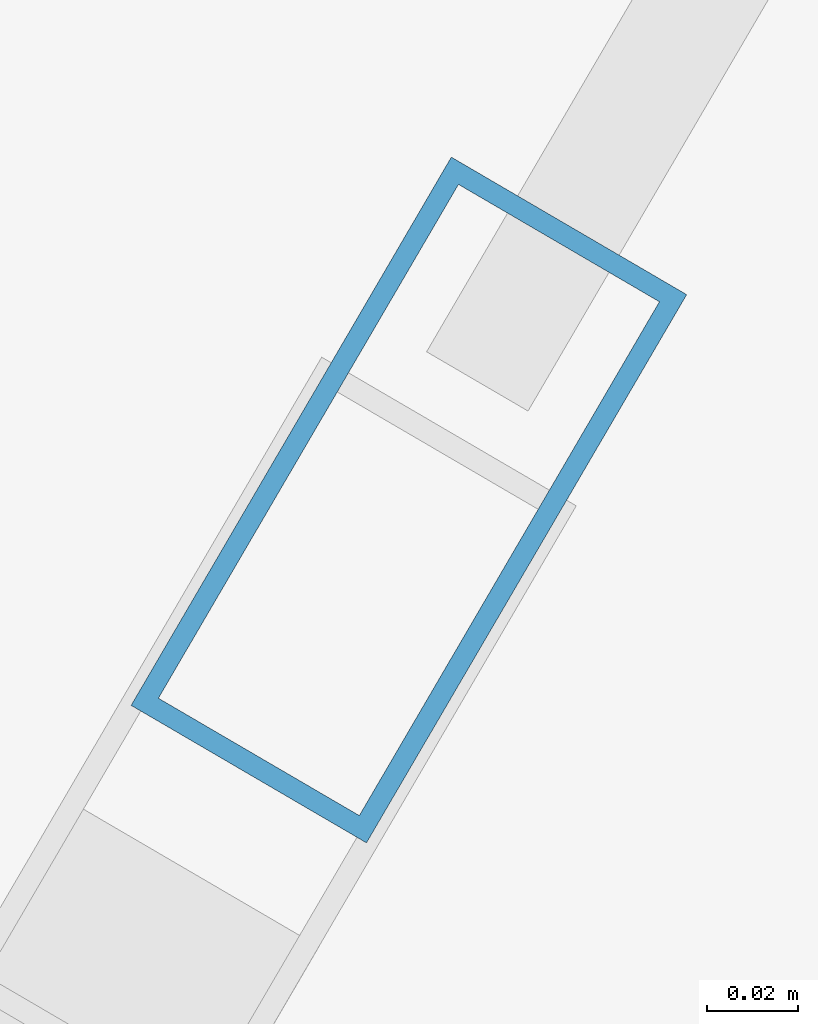
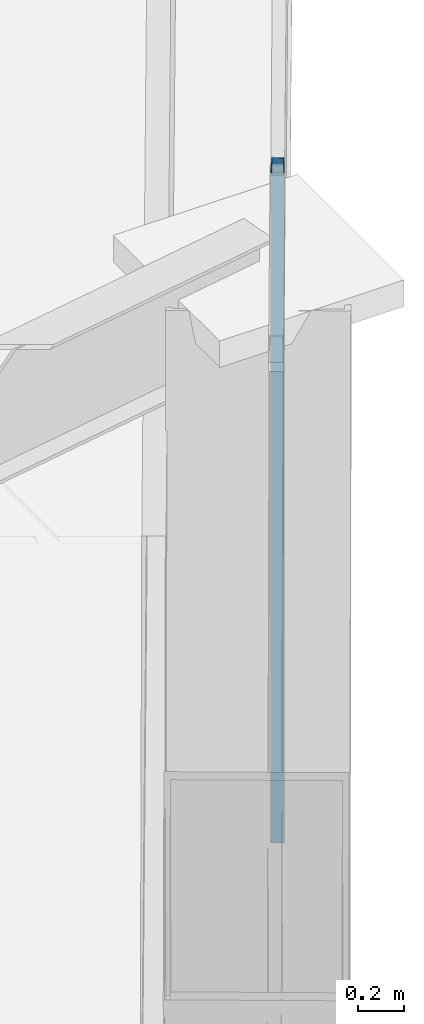
# One storey, part 12 of 22: 1 member, 1 element without a shape of its own.
"""IFC4 building model written with IfcOpenShell, lengths in metres."""

from ifc_helpers import new_model, si_unit, direction, frame, origin, origin_2d, place, context, subcontext, project, spatial, hollow_rectangle, extrude, material, layer, layer_set, material_profile, profile_set, type_object, element, aggregate, save


model = new_model("IFC4")

# Units and contexts
model_context = context("Model", 3, precision=1e-05, world=origin(), true_north=direction((0.0, 1.0)))
body_context = subcontext(model_context, "Body", "Model", "MODEL_VIEW")
ifc_project = project(units=[si_unit("LENGTHUNIT", "METRE"), si_unit("AREAUNIT", "SQUARE_METRE"), si_unit("VOLUMEUNIT", "CUBIC_METRE"), si_unit("PLANEANGLEUNIT", "RADIAN"), si_unit("MASSUNIT", "GRAM", prefix="KILO")], contexts=[model_context])

# Site, building, storey
site_placement = place(None, origin())
site = spatial("IfcSite", under=ifc_project, at=site_placement, CompositionType="ELEMENT")
building_placement = place(site_placement, origin())
building = spatial("IfcBuilding", under=site, at=building_placement, Name="Qianvela Tower", CompositionType="ELEMENT")
storey_placement = place(building_placement, frame((0.0, 0.0, 299.10009765625)))
storey = spatial("IfcBuildingStorey", under=building, at=storey_placement, Name="L77", CompositionType="ELEMENT", Elevation=299.10009765625)

# Curtain wall, member
ifc_material_1 = material(Name="Anodised Architectural Aluminium and Low-E Glass", Category="aluminium")
ifc_layer = layer(ifc_material_1, 0.14990234375)
ifc_layer_set = layer_set([ifc_layer], Name="Anodised Architectural Aluminium and Low-E Glass")
curtain_wall_type = type_object("IfcCurtainWallType", Name="CW-COLIV-Z78", PredefinedType="USERDEFINED", material=ifc_layer_set)
curtain_wall_placement = place(storey_placement, origin())
curtain_wall = element("IfcCurtainWall", 1, at=curtain_wall_placement, inside=storey, type_object=curtain_wall_type, Name="L77 CW-COLIV-Z78 Curtain Wall 06C", ObjectType="CURTAIN_WALL_SYSTEM", PredefinedType="USERDEFINED")
ifc_material_2 = material(Name="Anodised Architectural Aluminium 6063-T6", Category="aluminium")
ifc_material_profile = material_profile(ifc_material_2, hollow_rectangle(XDim=0.06005859375, YDim=0.139892578125, WallThickness=0.00439453125, at=origin_2d()), Name="ALU-MULL-60x140")
ifc_profile_set = profile_set([ifc_material_profile], Name="Anodised Architectural Aluminium 6063-T6")
member_type = type_object("IfcMemberType", Name="CW-COLIV-Z78-MULL", PredefinedType="MULLION", material=ifc_profile_set)
member_placement = place(storey_placement, frame((48.256103515625, 23.080322265625, 0.0), z_axis=(0.0, 0.0, 1.0), x_axis=(-0.863509722447, 0.504332191357, 0.0)))
member = element("IfcMember", 2, at=member_placement, type_object=member_type, Name="CW-6 mullion 1", PredefinedType="MULLION", context=body_context, shape_type="SweptSolid", body=[
    extrude(hollow_rectangle(XDim=0.06005859375, YDim=0.139892578125, WallThickness=0.00439453125, at=origin_2d()), origin(), (0.0, 0.0, 1.0), 3.52001953125),
])
aggregate(curtain_wall, [member])

save(model, "model.ifc")
